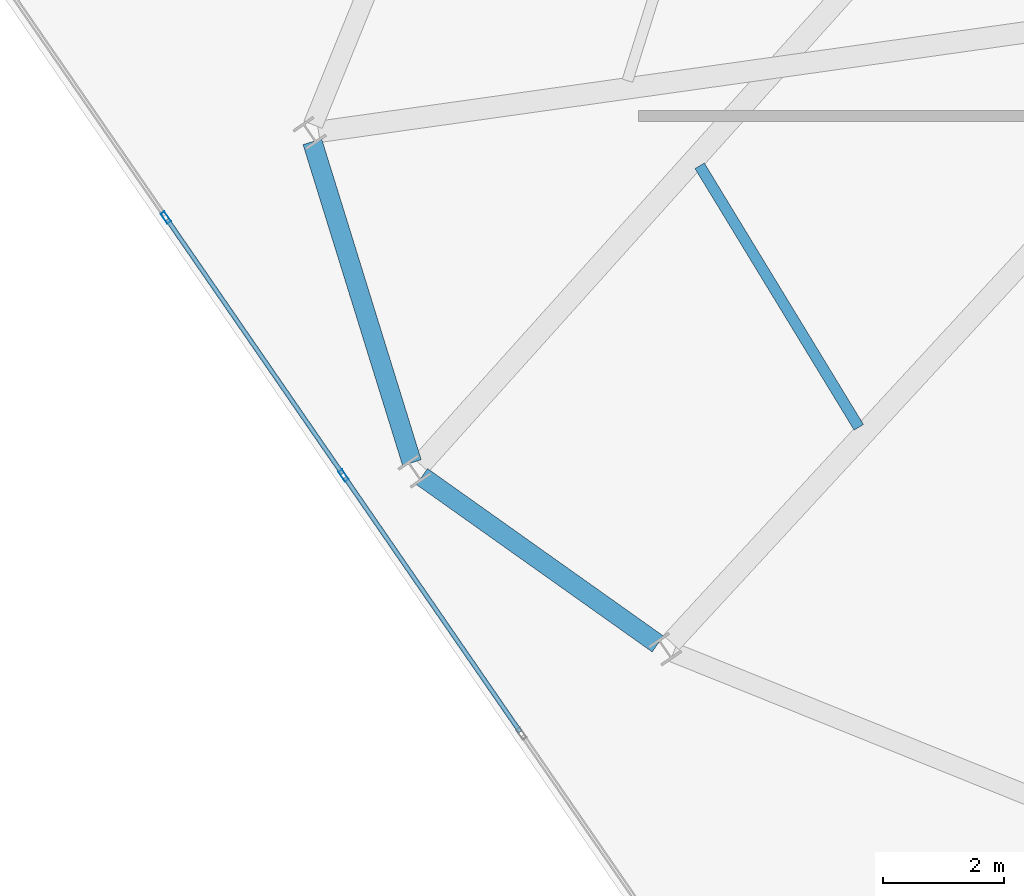
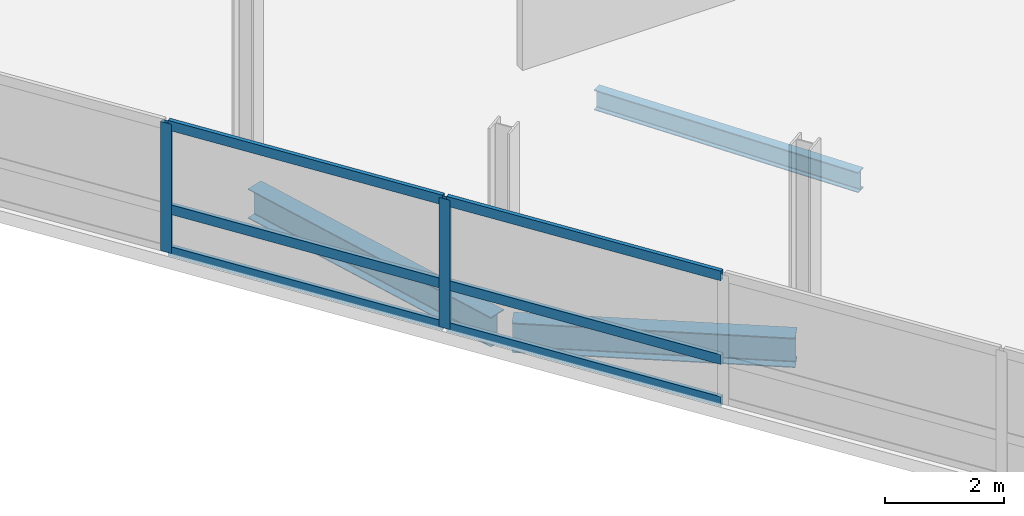
# One storey, part 6 of 23: 8 members, 3 beams, 1 element without a shape of its own.
"""IFC4 building model written with IfcOpenShell, lengths in metres."""

from ifc_helpers import new_model, si_unit, direction, frame, origin, origin_2d, place, context, subcontext, project, spatial, hollow_rectangle, i_section, extrude, material, layer, layer_set, material_profile, profile_set, type_object, element, aggregate, save


model = new_model("IFC4")

# Units and contexts
model_context = context("Model", 3, precision=1e-05, world=origin(), true_north=direction((0.0, 1.0)))
body_context = subcontext(model_context, "Body", "Model", "MODEL_VIEW")
ifc_project = project(units=[si_unit("LENGTHUNIT", "METRE"), si_unit("AREAUNIT", "SQUARE_METRE"), si_unit("VOLUMEUNIT", "CUBIC_METRE"), si_unit("PLANEANGLEUNIT", "RADIAN"), si_unit("MASSUNIT", "GRAM", prefix="KILO")], contexts=[model_context])

# Site, building, storey
site_placement = place(None, origin())
site = spatial("IfcSite", under=ifc_project, at=site_placement, CompositionType="ELEMENT")
building_placement = place(site_placement, origin())
building = spatial("IfcBuilding", under=site, at=building_placement, Name="Varnelok Gate Tower", CompositionType="ELEMENT")
storey_placement = place(building_placement, frame((0.0, 0.0, 287.800048828125)))
storey = spatial("IfcBuildingStorey", under=building, at=storey_placement, Name="L74", CompositionType="ELEMENT", Elevation=287.800048828125)

# Beams
ifc_material_1 = material(Name="Structural Steel ASTM A992 Grade 50", Category="steel")
ifc_material_profile_1 = material_profile(ifc_material_1, i_section(OverallWidth=0.180908203125, OverallDepth=0.4169921875, WebThickness=0.010986328125, FlangeThickness=0.018310546875, FilletRadius=0.013916015625, at=origin_2d()), Name="W16X57")
ifc_profile_set_1 = profile_set([ifc_material_profile_1], Name="Structural Steel ASTM A992 Grade 50")
beam_type_1 = type_object("IfcBeamType", Name="BM-JST-W16X57", PredefinedType="JOIST", material=ifc_profile_set_1)
beam_1_placement = place(storey_placement, frame((15.015380859375, 16.025146484375, -0.45849609375), z_axis=(0.519864605182, -0.854248671219, 0.0), x_axis=(0.854248671219, 0.519864605182, 0.0)))
element("IfcBeam", 1, at=beam_1_placement, inside=storey, type_object=beam_type_1, Name="L74 Sector Floor Joist 14", PredefinedType="JOIST", context=body_context, shape_type="SweptSolid", body=[
    extrude(i_section(OverallWidth=0.180908203125, OverallDepth=0.4169921875, WebThickness=0.010986328125, FlangeThickness=0.018310546875, FilletRadius=0.013916015625, at=origin_2d()), origin(), (0.0, 0.0, 1.0), 5.079345703125),
])
ifc_material_profile_2 = material_profile(ifc_material_1, i_section(OverallWidth=0.323974609375, OverallDepth=0.611083984375, WebThickness=0.0126953125, FlangeThickness=0.01904296875, FilletRadius=0.01806640625, at=origin_2d()), Name="W24X104")
ifc_profile_set_2 = profile_set([ifc_material_profile_2], Name="Structural Steel ASTM A992 Grade 50")
beam_type_2 = type_object("IfcBeamType", Name="BM-SPN-W24X104", PredefinedType="SPANDREL", material=ifc_profile_set_2)
beam_2_placement = place(storey_placement, frame((8.587646484375, 16.42529296875, -0.5556640625), z_axis=(0.296300068239, -0.955094900814, 0.0), x_axis=(0.955094900814, 0.296300068239, 0.0)))
element("IfcBeam", 2, at=beam_2_placement, inside=storey, type_object=beam_type_2, Name="L74 Perimeter Spandrel Beam 14", PredefinedType="SPANDREL", context=body_context, shape_type="SweptSolid", body=[
    extrude(i_section(OverallWidth=0.323974609375, OverallDepth=0.611083984375, WebThickness=0.0126953125, FlangeThickness=0.01904296875, FilletRadius=0.01806640625, at=origin_2d()), origin(), (0.0, 0.0, 1.0), 5.57666015625),
])
beam_3_placement = place(storey_placement, frame((10.40673828125, 10.868896484375, -0.5556640625), z_axis=(0.815431243688, -0.57885394256, 0.0), x_axis=(0.57885394256, 0.815431243688, 0.0)))
element("IfcBeam", 3, at=beam_3_placement, inside=storey, type_object=beam_type_2, Name="L74 Perimeter Spandrel Beam 15", PredefinedType="SPANDREL", context=body_context, shape_type="SweptSolid", body=[
    extrude(i_section(OverallWidth=0.323974609375, OverallDepth=0.611083984375, WebThickness=0.0126953125, FlangeThickness=0.01904296875, FilletRadius=0.01806640625, at=origin_2d()), origin(), (0.0, 0.0, 1.0), 4.7998046875),
])

# Curtain wall, members
ifc_material_2 = material(Name="Anodized Aluminum Alloy 6063-T6", Category="aluminium")
ifc_layer = layer(ifc_material_2, 0.179931640625)
ifc_layer_set = layer_set([ifc_layer], Name="Anodized Aluminum Alloy 6063-T6")
curtain_wall_type = type_object("IfcCurtainWallType", Name="CW6-CROWN-LOOKOUT", PredefinedType="USERDEFINED", material=ifc_layer_set)
curtain_wall_placement = place(storey_placement, origin())
curtain_wall = element("IfcCurtainWall", 4, at=curtain_wall_placement, inside=storey, type_object=curtain_wall_type, Name="L74 West End Vision Curtain Wall", ObjectType="STRUCTURAL GLAZING", PredefinedType="USERDEFINED")
ifc_material_profile_3 = material_profile(ifc_material_2, hollow_rectangle(XDim=0.074951171875, YDim=0.199951171875, WallThickness=0.00390625, at=origin_2d()), Name="ALU200X75X4")
ifc_profile_set_3 = profile_set([ifc_material_profile_3], Name="Anodized Aluminum Alloy 6063-T6")
member_type_1 = type_object("IfcMemberType", Name="CW-MULL-200", PredefinedType="MULLION", material=ifc_profile_set_3)
member_1_placement = place(storey_placement, frame((9.106689453125, 10.88525390625, 0.0), z_axis=(0.0, 0.0, 1.0), x_axis=(-0.823532290241, -0.567269395376, 0.0)))
member_1 = element("IfcMember", 5, at=member_1_placement, type_object=member_type_1, Name="CW6 mullion 5", PredefinedType="MULLION", context=body_context, shape_type="SweptSolid", body=[
    extrude(hollow_rectangle(XDim=0.074951171875, YDim=0.199951171875, WallThickness=0.00390625, at=origin_2d()), origin(), (0.0, 0.0, 1.0), 2.659912109375),
])
member_2_placement = place(storey_placement, frame((6.15673828125, 15.16748046875, 0.0), z_axis=(0.0, 0.0, 1.0), x_axis=(-0.823532290241, -0.567269395376, 0.0)))
member_2 = element("IfcMember", 6, at=member_2_placement, type_object=member_type_1, Name="CW6 mullion 6", PredefinedType="MULLION", context=body_context, shape_type="SweptSolid", body=[
    extrude(hollow_rectangle(XDim=0.074951171875, YDim=0.199951171875, WallThickness=0.00390625, at=origin_2d()), origin(), (0.0, 0.0, 1.0), 2.659912109375),
])
ifc_material_profile_4 = material_profile(ifc_material_2, hollow_rectangle(XDim=0.074951171875, YDim=0.199951171875, WallThickness=0.00390625, at=origin_2d()), Name="ALU200X75X4")
ifc_profile_set_4 = profile_set([ifc_material_profile_4], Name="Anodized Aluminum Alloy 6063-T6")
member_type_2 = type_object("IfcMemberType", Name="CW-TRAN-200", PredefinedType="USERDEFINED", material=ifc_profile_set_4)
member_3_placement = place(storey_placement, frame((12.03515625, 6.6337890625, 0.037353515625), z_axis=(-0.567278672654, 0.823525899746, 0.0), x_axis=(-0.823525899746, -0.567278672654, 0.0)))
member_3 = element("IfcMember", 7, at=member_3_placement, type_object=member_type_2, Name="CW6 transom 4.1", ObjectType="TRANSOM", PredefinedType="USERDEFINED", context=body_context, shape_type="SweptSolid", body=[
    extrude(hollow_rectangle(XDim=0.074951171875, YDim=0.199951171875, WallThickness=0.00390625, at=origin_2d()), origin(), (0.0, 0.0, 1.0), 5.124755859375),
])
member_4_placement = place(storey_placement, frame((12.03515625, 6.6337890625, 0.89990234375), z_axis=(-0.567278672654, 0.823525899746, 0.0), x_axis=(-0.823525899746, -0.567278672654, 0.0)))
member_4 = element("IfcMember", 8, at=member_4_placement, type_object=member_type_2, Name="CW6 transom 4.2", ObjectType="TRANSOM", PredefinedType="USERDEFINED", context=body_context, shape_type="SweptSolid", body=[
    extrude(hollow_rectangle(XDim=0.074951171875, YDim=0.199951171875, WallThickness=0.00390625, at=origin_2d()), origin(), (0.0, 0.0, 1.0), 5.124755859375),
])
member_5_placement = place(storey_placement, frame((12.03515625, 6.6337890625, 2.62255859375), z_axis=(-0.567278672654, 0.823525899746, 0.0), x_axis=(-0.823525899746, -0.567278672654, 0.0)))
member_5 = element("IfcMember", 9, at=member_5_placement, type_object=member_type_2, Name="CW6 transom 4.3", ObjectType="TRANSOM", PredefinedType="USERDEFINED", context=body_context, shape_type="SweptSolid", body=[
    extrude(hollow_rectangle(XDim=0.074951171875, YDim=0.199951171875, WallThickness=0.00390625, at=origin_2d()), origin(), (0.0, 0.0, 1.0), 5.124755859375),
])
member_6_placement = place(storey_placement, frame((9.08544921875, 10.916015625, 0.037353515625), z_axis=(-0.567288724908, 0.823518975247, 0.0), x_axis=(-0.823518975247, -0.567288724908, 0.0)))
member_6 = element("IfcMember", 10, at=member_6_placement, type_object=member_type_2, Name="CW6 transom 5.1", ObjectType="TRANSOM", PredefinedType="USERDEFINED", context=body_context, shape_type="SweptSolid", body=[
    extrude(hollow_rectangle(XDim=0.074951171875, YDim=0.199951171875, WallThickness=0.00390625, at=origin_2d()), origin(), (0.0, 0.0, 1.0), 5.125244140625),
])
member_7_placement = place(storey_placement, frame((9.08544921875, 10.916015625, 0.89990234375), z_axis=(-0.567288724908, 0.823518975247, 0.0), x_axis=(-0.823518975247, -0.567288724908, 0.0)))
member_7 = element("IfcMember", 11, at=member_7_placement, type_object=member_type_2, Name="CW6 transom 5.2", ObjectType="TRANSOM", PredefinedType="USERDEFINED", context=body_context, shape_type="SweptSolid", body=[
    extrude(hollow_rectangle(XDim=0.074951171875, YDim=0.199951171875, WallThickness=0.00390625, at=origin_2d()), origin(), (0.0, 0.0, 1.0), 5.125244140625),
])
member_8_placement = place(storey_placement, frame((9.08544921875, 10.916015625, 2.62255859375), z_axis=(-0.567288724908, 0.823518975247, 0.0), x_axis=(-0.823518975247, -0.567288724908, 0.0)))
member_8 = element("IfcMember", 12, at=member_8_placement, type_object=member_type_2, Name="CW6 transom 5.3", ObjectType="TRANSOM", PredefinedType="USERDEFINED", context=body_context, shape_type="SweptSolid", body=[
    extrude(hollow_rectangle(XDim=0.074951171875, YDim=0.199951171875, WallThickness=0.00390625, at=origin_2d()), origin(), (0.0, 0.0, 1.0), 5.125244140625),
])
aggregate(curtain_wall, [member_1, member_2, member_3, member_4, member_5, member_6, member_7, member_8])

save(model, "model.ifc")
